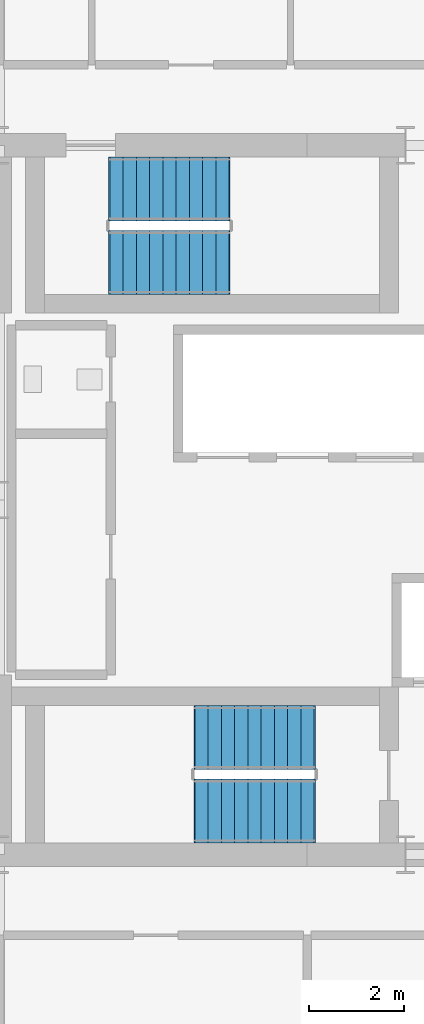
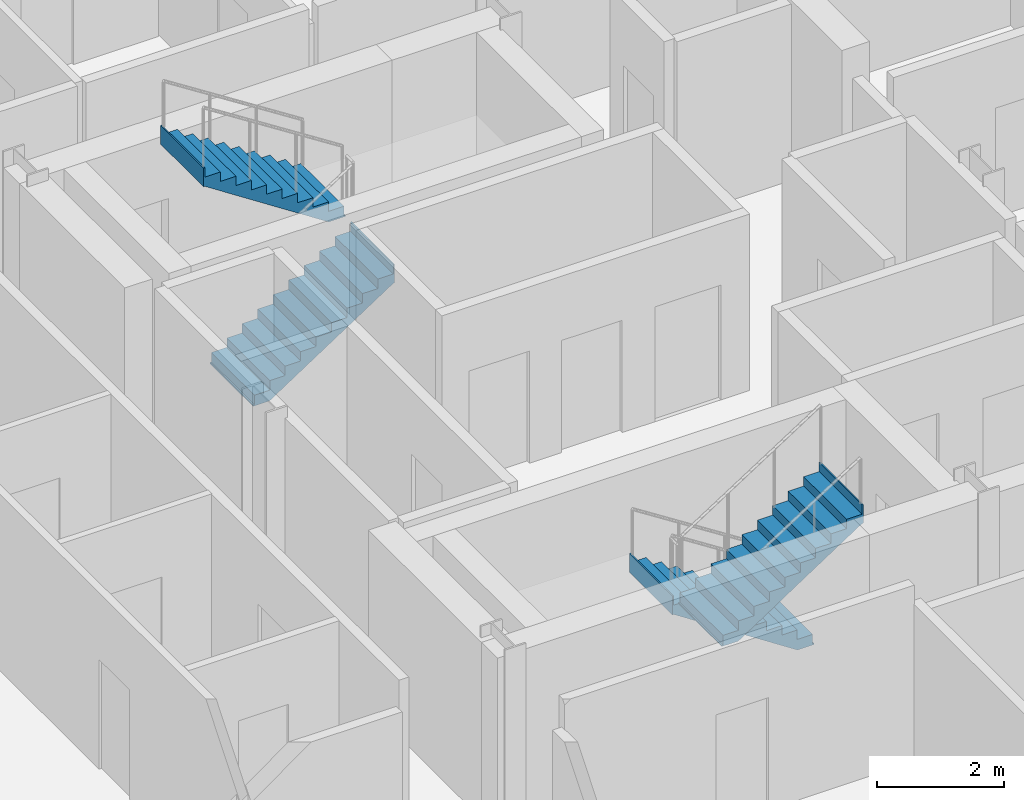
# One storey, part 19 of 21: 4 stair flights, 2 elements without a shape of their own.
"""IFC4 building model written with IfcOpenShell, lengths in metres."""

from ifc_helpers import new_model, si_unit, direction, frame, origin, place, context, subcontext, project, spatial, polyline, outline, extrude, material, type_object, element, aggregate, save


model = new_model("IFC4")

# Units and contexts
model_context = context("Model", 3, precision=1e-05, world=origin(), true_north=direction((0.0, 1.0)))
body_context = subcontext(model_context, "Body", "Model", "MODEL_VIEW")
ifc_project = project(units=[si_unit("LENGTHUNIT", "METRE"), si_unit("AREAUNIT", "SQUARE_METRE"), si_unit("VOLUMEUNIT", "CUBIC_METRE"), si_unit("PLANEANGLEUNIT", "RADIAN"), si_unit("MASSUNIT", "GRAM", prefix="KILO")], contexts=[model_context])

# Site, building, storey
site_placement = place(None, origin())
site = spatial("IfcSite", under=ifc_project, at=site_placement, CompositionType="ELEMENT")
building_placement = place(site_placement, origin())
building = spatial("IfcBuilding", under=site, at=building_placement, Name="Barlavira Tower and Art Museum", CompositionType="ELEMENT")
storey_placement = place(building_placement, frame((0.0, 0.0, 222.300048828125)))
storey = spatial("IfcBuildingStorey", under=building, at=storey_placement, Name="L57", CompositionType="ELEMENT", Elevation=222.300048828125)

# Stair, stair flights
ifc_material_1 = material(Name="Concrete C45", Category="concrete")
stair_type_1 = type_object("IfcStairType", Name="Tower North Dog-Leg Exit Stair Assembly Concrete C45", PredefinedType="TWO_QUARTER_TURN_STAIR", material=ifc_material_1)
stair_1_placement = place(storey_placement, origin())
stair_1 = element("IfcStair", 1, at=stair_1_placement, inside=storey, type_object=stair_type_1, Name="L57 Tower North Exit Stair ST-T2", PredefinedType="TWO_QUARTER_TURN_STAIR")
ifc_material_2 = material(Name="Precast concrete C45", Category="concrete")
stair_flight_type_1 = type_object("IfcStairFlightType", Name="Tower North Dog-Leg Exit Stair Precast Flight 1350 Concrete C45", PredefinedType="STRAIGHT", material=ifc_material_2)
stair_flight_1_placement = place(storey_placement, frame((-4.169921875, 5.02490234375, 0.0), z_axis=(0.0, 0.0, 1.0), x_axis=(1.0, 0.0, 0.0)))
stair_flight_1 = element("IfcStairFlight", 2, at=stair_flight_1_placement, type_object=stair_flight_type_1, Name="ST-T2 flight 1", NumberOfRisers=10, NumberOfTreads=9, PredefinedType="STRAIGHT", RiserHeight=0.18, TreadLength=0.28, context=body_context, shape_type="SweptSolid", body=[
    extrude(outline(polyline([(-0.02490234375, 0.0), (0.0, 0.0), (0.0, 0.179931640625), (0.280029296875, 0.179931640625), (0.280029296875, 0.360107421875), (0.56005859375, 0.360107421875), (0.56005859375, 0.5400390625), (0.840087890625, 0.5400390625), (0.840087890625, 0.719970703125), (1.1201171875, 0.719970703125), (1.1201171875, 0.89990234375), (1.39990234375, 0.89990234375), (1.39990234375, 1.080078125), (1.679931640625, 1.080078125), (1.679931640625, 1.260009765625), (1.9599609375, 1.260009765625), (1.9599609375, 1.43994140625), (2.239990234375, 1.43994140625), (2.239990234375, 1.6201171875), (2.52001953125, 1.6201171875), (2.52001953125, 1.800048828125), (2.544921875, 1.800048828125), (2.544921875, 1.44189453125), (2.52001953125, 1.44189453125), (0.277099609375, -0.02490234375), (-0.02490234375, -0.02490234375), (-0.02490234375, 0.0)])), frame((0.0, 0.675048828125, 0.0), z_axis=(0.0, -1.0, 0.0), x_axis=(1.0, 0.0, 0.0)), (0.0, 0.0, 1.0), 1.35009765625),
])
stair_flight_2_placement = place(storey_placement, frame((-1.64990234375, 6.574951171875, 1.800048828125), z_axis=(0.0, 0.0, 1.0), x_axis=(-1.0, 0.0, 0.0)))
stair_flight_2 = element("IfcStairFlight", 3, at=stair_flight_2_placement, type_object=stair_flight_type_1, Name="ST-T2 flight 2", NumberOfRisers=10, NumberOfTreads=9, PredefinedType="STRAIGHT", RiserHeight=0.18, TreadLength=0.28, context=body_context, shape_type="SweptSolid", body=[
    extrude(outline(polyline([(-0.02490234375, 0.0), (0.0, 0.0), (0.0, 0.179931640625), (0.280029296875, 0.179931640625), (0.280029296875, 0.360107421875), (0.56005859375, 0.360107421875), (0.56005859375, 0.5400390625), (0.840087890625, 0.5400390625), (0.840087890625, 0.719970703125), (1.1201171875, 0.719970703125), (1.1201171875, 0.89990234375), (1.39990234375, 0.89990234375), (1.39990234375, 1.080078125), (1.679931640625, 1.080078125), (1.679931640625, 1.260009765625), (1.9599609375, 1.260009765625), (1.9599609375, 1.43994140625), (2.239990234375, 1.43994140625), (2.239990234375, 1.6201171875), (2.52001953125, 1.6201171875), (2.52001953125, 1.800048828125), (2.544921875, 1.800048828125), (2.544921875, 1.44189453125), (2.52001953125, 1.44189453125), (0.277099609375, -0.02490234375), (-0.02490234375, -0.02490234375), (-0.02490234375, 0.0)])), frame((0.0, 0.675048828125, 0.0), z_axis=(0.0, -1.0, 0.0), x_axis=(1.0, 0.0, 0.0)), (0.0, 0.0, 1.0), 1.35009765625),
])
aggregate(stair_1, [stair_flight_1, stair_flight_2])

stair_type_2 = type_object("IfcStairType", Name="Tower South Dog-Leg Exit Stair Assembly Concrete C45", PredefinedType="TWO_QUARTER_TURN_STAIR", material=ifc_material_1)
stair_2_placement = place(storey_placement, origin())
stair_2 = element("IfcStair", 4, at=stair_2_placement, inside=storey, type_object=stair_type_2, Name="L57 Tower South Exit Stair ST-T1", PredefinedType="TWO_QUARTER_TURN_STAIR")
stair_flight_type_2 = type_object("IfcStairFlightType", Name="Tower South Dog-Leg Exit Stair Precast Flight 1350 Concrete C45", PredefinedType="STRAIGHT", material=ifc_material_2)
stair_flight_3_placement = place(storey_placement, frame((0.14990234375, -5.02490234375, 0.0), z_axis=(0.0, 0.0, 1.0), x_axis=(-1.0, 0.0, 0.0)))
stair_flight_3 = element("IfcStairFlight", 5, at=stair_flight_3_placement, type_object=stair_flight_type_2, Name="ST-T1 flight 1", NumberOfRisers=10, NumberOfTreads=9, PredefinedType="STRAIGHT", RiserHeight=0.18, TreadLength=0.28, context=body_context, shape_type="SweptSolid", body=[
    extrude(outline(polyline([(-0.02490234375, 0.0), (0.0, 0.0), (0.0, 0.179931640625), (0.280029296875, 0.179931640625), (0.280029296875, 0.360107421875), (0.56005859375, 0.360107421875), (0.56005859375, 0.5400390625), (0.840087890625, 0.5400390625), (0.840087890625, 0.719970703125), (1.1201171875, 0.719970703125), (1.1201171875, 0.89990234375), (1.39990234375, 0.89990234375), (1.39990234375, 1.080078125), (1.679931640625, 1.080078125), (1.679931640625, 1.260009765625), (1.9599609375, 1.260009765625), (1.9599609375, 1.43994140625), (2.239990234375, 1.43994140625), (2.239990234375, 1.6201171875), (2.52001953125, 1.6201171875), (2.52001953125, 1.800048828125), (2.544921875, 1.800048828125), (2.544921875, 1.44189453125), (2.52001953125, 1.44189453125), (0.277099609375, -0.02490234375), (-0.02490234375, -0.02490234375), (-0.02490234375, 0.0)])), frame((0.0, 0.675048828125, 0.0), z_axis=(0.0, -1.0, 0.0), x_axis=(1.0, 0.0, 0.0)), (0.0, 0.0, 1.0), 1.35009765625),
])
stair_flight_4_placement = place(storey_placement, frame((-2.3701171875, -6.574951171875, 1.800048828125), z_axis=(0.0, 0.0, 1.0), x_axis=(1.0, 0.0, 0.0)))
stair_flight_4 = element("IfcStairFlight", 6, at=stair_flight_4_placement, type_object=stair_flight_type_2, Name="ST-T1 flight 2", NumberOfRisers=10, NumberOfTreads=9, PredefinedType="STRAIGHT", RiserHeight=0.18, TreadLength=0.28, context=body_context, shape_type="SweptSolid", body=[
    extrude(outline(polyline([(-0.02490234375, 0.0), (0.0, 0.0), (0.0, 0.179931640625), (0.280029296875, 0.179931640625), (0.280029296875, 0.360107421875), (0.56005859375, 0.360107421875), (0.56005859375, 0.5400390625), (0.840087890625, 0.5400390625), (0.840087890625, 0.719970703125), (1.1201171875, 0.719970703125), (1.1201171875, 0.89990234375), (1.39990234375, 0.89990234375), (1.39990234375, 1.080078125), (1.679931640625, 1.080078125), (1.679931640625, 1.260009765625), (1.9599609375, 1.260009765625), (1.9599609375, 1.43994140625), (2.239990234375, 1.43994140625), (2.239990234375, 1.6201171875), (2.52001953125, 1.6201171875), (2.52001953125, 1.800048828125), (2.544921875, 1.800048828125), (2.544921875, 1.44189453125), (2.52001953125, 1.44189453125), (0.277099609375, -0.02490234375), (-0.02490234375, -0.02490234375), (-0.02490234375, 0.0)])), frame((0.0, 0.675048828125, 0.0), z_axis=(0.0, -1.0, 0.0), x_axis=(1.0, 0.0, 0.0)), (0.0, 0.0, 1.0), 1.35009765625),
])
aggregate(stair_2, [stair_flight_3, stair_flight_4])

save(model, "model.ifc")
